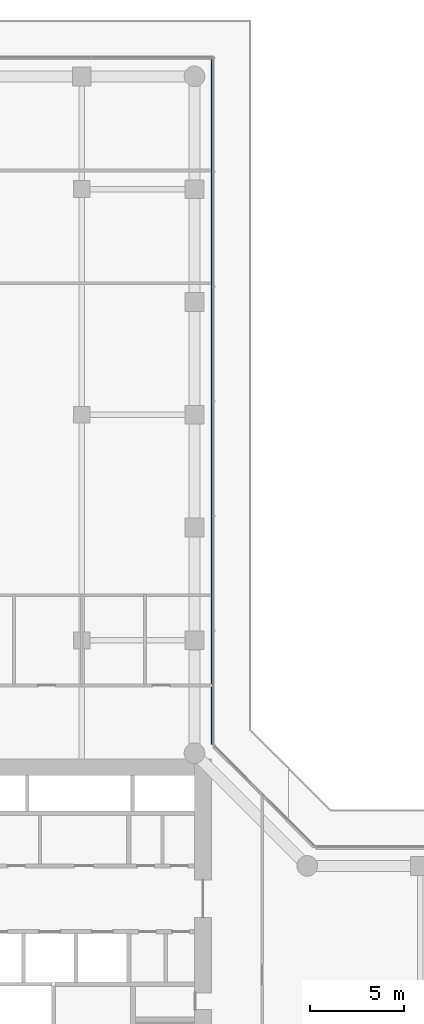
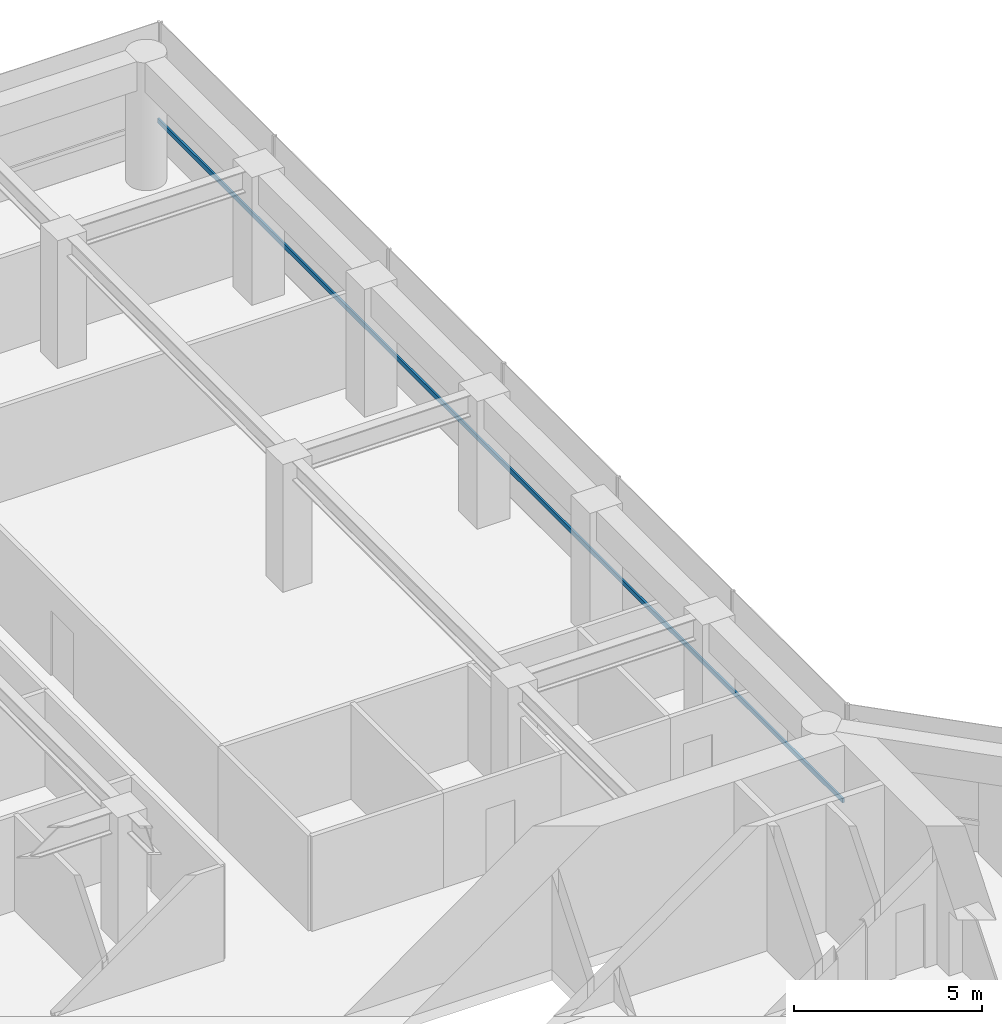
# One storey, part 16 of 24: 1 member, 1 element without a shape of its own.
"""IFC4 building model written with IfcOpenShell, lengths in metres."""

from ifc_helpers import new_model, si_unit, direction, frame, origin, origin_2d, place, context, subcontext, project, spatial, rectangle, extrude, material, layer, layer_set, material_profile, profile_set, type_object, element, aggregate, save


model = new_model("IFC4")

# Units and contexts
model_context = context("Model", 3, precision=1e-05, world=origin(), true_north=direction((0.0, 1.0)))
body_context = subcontext(model_context, "Body", "Model", "MODEL_VIEW")
ifc_project = project(units=[si_unit("LENGTHUNIT", "METRE"), si_unit("AREAUNIT", "SQUARE_METRE"), si_unit("VOLUMEUNIT", "CUBIC_METRE"), si_unit("PLANEANGLEUNIT", "RADIAN"), si_unit("MASSUNIT", "GRAM", prefix="KILO")], contexts=[model_context])

# Site, building, storey
site_placement = place(None, origin())
site = spatial("IfcSite", under=ifc_project, at=site_placement, CompositionType="ELEMENT")
building_placement = place(site_placement, origin())
building = spatial("IfcBuilding", under=site, at=building_placement, Name="Welwitschia Terrace Campus", CompositionType="ELEMENT")
storey_placement = place(building_placement, frame((0.0, 0.0, 15.5)))
storey = spatial("IfcBuildingStorey", under=building, at=storey_placement, Name="L03", CompositionType="ELEMENT", Elevation=15.5)

# Curtain wall, member
ifc_material_1 = material(Name="Bronze anodised aluminium", Category="aluminium")
ifc_layer = layer(ifc_material_1, 0.1201171875)
ifc_layer_set = layer_set([ifc_layer], Name="Bronze anodised aluminium")
curtain_wall_type = type_object("IfcCurtainWallType", Name="Curtain wall CW2 tower 6000", PredefinedType="NOTDEFINED", material=ifc_layer_set)
curtain_wall_placement = place(storey_placement, origin())
curtain_wall = element("IfcCurtainWall", 1, at=curtain_wall_placement, inside=storey, type_object=curtain_wall_type, Name="CW L03.7.0", PredefinedType="NOTDEFINED")
ifc_material_2 = material(Name="Bronze anodised aluminium", Category="aluminium")
ifc_material_profile = material_profile(ifc_material_2, rectangle(XDim=0.06005859375, YDim=0.14990234375, at=origin_2d()))
ifc_profile_set = profile_set([ifc_material_profile], Name="Bronze anodised aluminium")
member_type = type_object("IfcMemberType", Name="Transom 60x150", PredefinedType="USERDEFINED", material=ifc_profile_set)
member_placement = place(storey_placement, frame((24.929931640625, 26.482421875, 1.0), z_axis=(0.0, 1.0, 0.0), x_axis=(-1.0, 0.0, 0.0)))
member = element("IfcMember", 2, at=member_placement, type_object=member_type, Name="Transom L03.7.0", ObjectType="TRANSOM", PredefinedType="USERDEFINED", context=body_context, shape_type="SweptSolid", body=[
    extrude(rectangle(XDim=0.06005859375, YDim=0.14990234375, at=origin_2d()), origin(), (0.0, 0.0, 1.0), 36.4775390625),
])
aggregate(curtain_wall, [member])

save(model, "model.ifc")
